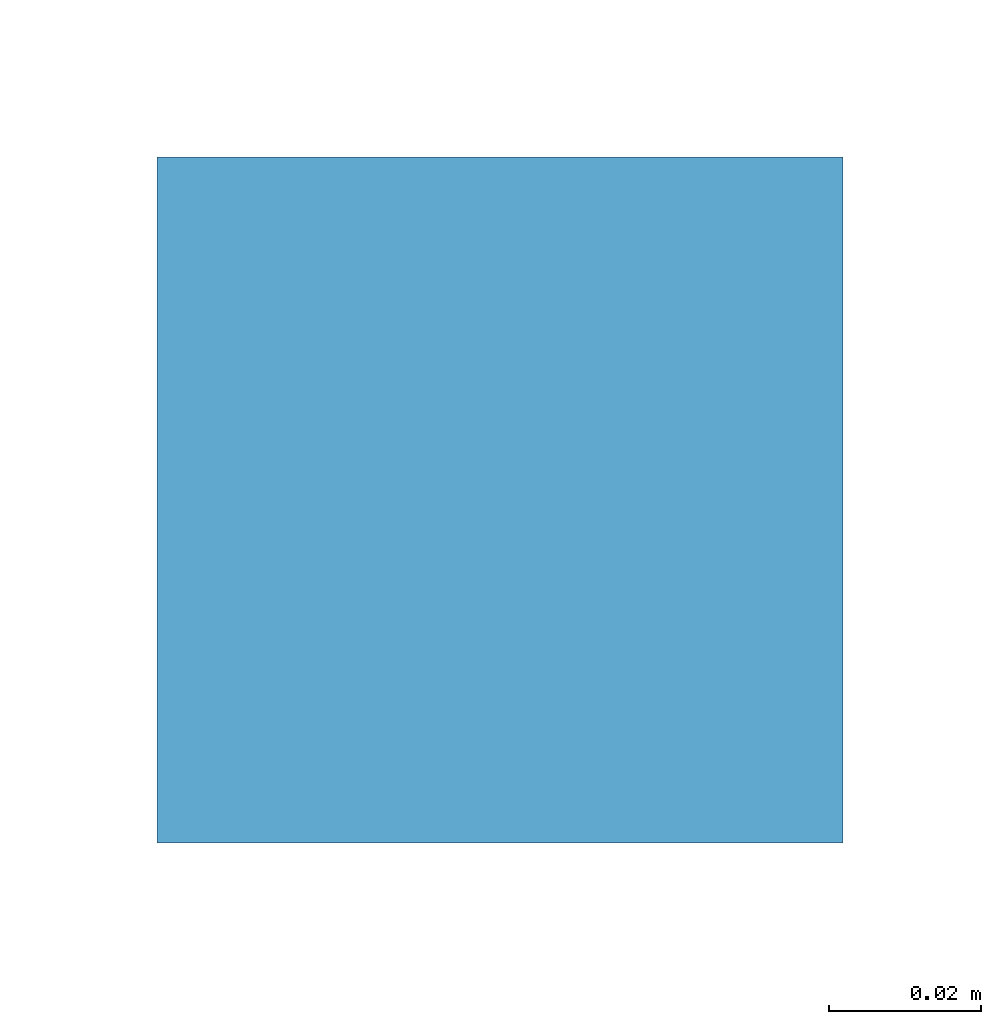
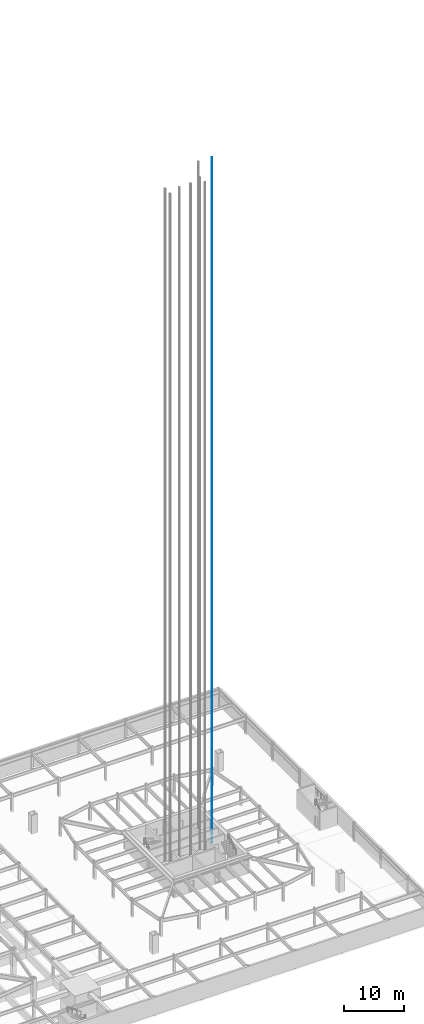
# One storey, part 32 of 35: 1 discrete accessory.
"""IFC4 building model written with IfcOpenShell, lengths in metres."""

from ifc_helpers import new_model, si_unit, direction, frame, origin, origin_2d, place, context, subcontext, project, spatial, rectangle, extrude, material, element, save


model = new_model("IFC4")

# Units and contexts
model_context = context("Model", 3, precision=1e-05, world=origin(), true_north=direction((0.0, 1.0)))
body_context = subcontext(model_context, "Body", "Model", "MODEL_VIEW")
ifc_project = project(units=[si_unit("LENGTHUNIT", "METRE"), si_unit("AREAUNIT", "SQUARE_METRE"), si_unit("VOLUMEUNIT", "CUBIC_METRE"), si_unit("PLANEANGLEUNIT", "RADIAN"), si_unit("MASSUNIT", "GRAM", prefix="KILO")], contexts=[model_context])

# Site, building, storey
site_placement = place(None, origin())
site = spatial("IfcSite", under=ifc_project, at=site_placement, CompositionType="ELEMENT")
building_placement = place(site_placement, origin())
building = spatial("IfcBuilding", under=site, at=building_placement, Name="Iwan Alto Co-Living Towers", CompositionType="ELEMENT")
storey_placement = place(building_placement, frame((0.0, 0.0, -7.199951171875)))
storey = spatial("IfcBuildingStorey", under=building, at=storey_placement, Name="B2", CompositionType="ELEMENT", Elevation=-7.199951171875)

# Discrete accessory
ifc_material = material(Name="Steel ASTM A36", Category="steel")
placement = place(storey_placement, frame((68.0, 2.449951171875, 0.0), z_axis=(0.0, 0.0, 1.0), x_axis=(1.0, 0.0, 0.0)))
discrete_accessory_placement = place(placement, origin())
element("IfcDiscreteAccessory", 1, at=discrete_accessory_placement, inside=storey, material=ifc_material, Name="Lift FL2 guide rail 2", ObjectType="Lift guide rail", PredefinedType="USERDEFINED", context=body_context, shape_type="SweptSolid", body=[
    extrude(rectangle(XDim=0.09, YDim=0.09, at=origin_2d()), frame((1.300048828125, 0.0, -0.199951171875)), (0.0, 0.0, 1.0), 139.300048828125),
])

save(model, "model.ifc")
